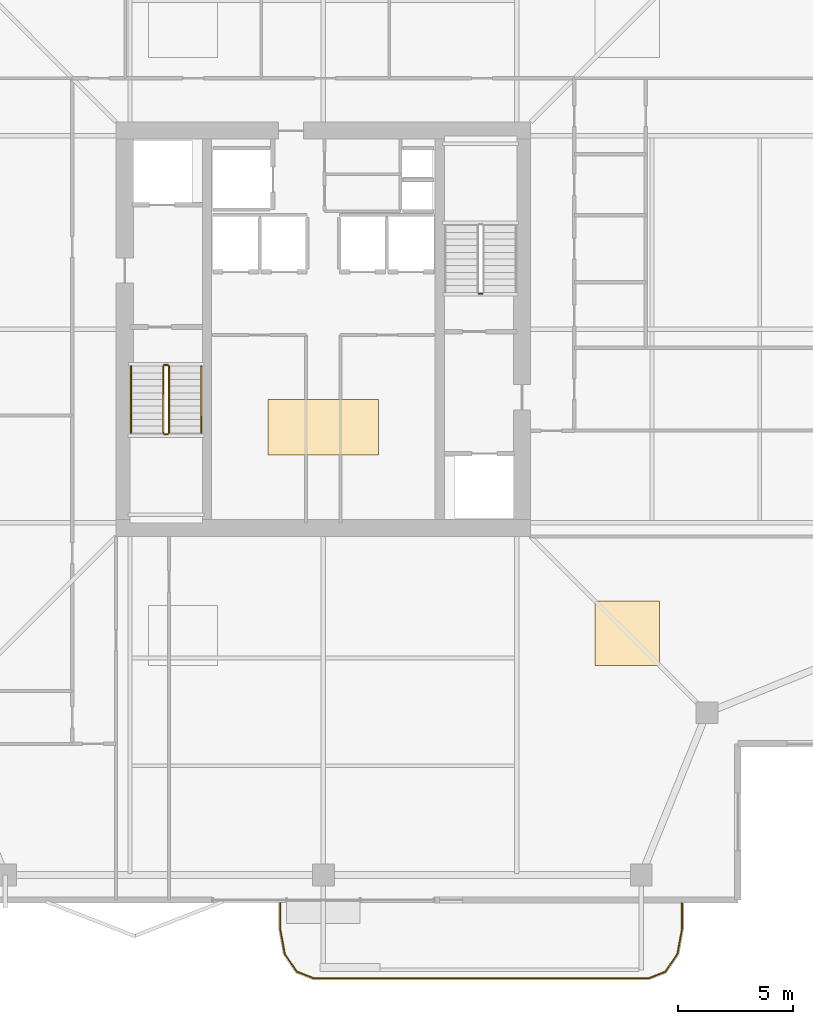
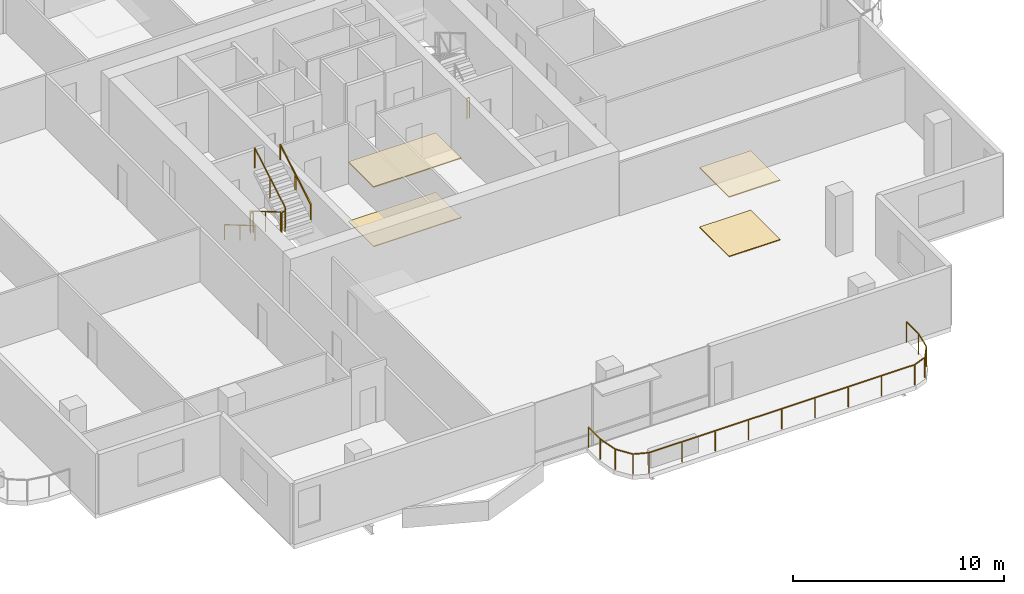
# One storey, part 23 of 25: 8 railings, 4 coverings.
"""IFC4 building model written with IfcOpenShell, lengths in metres."""

from ifc_helpers import new_model, si_unit, direction, frame, origin, origin_2d, place, context, subcontext, project, spatial, polyline, rectangle, outline, extrude, material, layer, layer_set, type_object, element, save


model = new_model("IFC4")

# Units and contexts
model_context = context("Model", 3, precision=1e-05, world=origin(), true_north=direction((0.0, 1.0)))
body_context = subcontext(model_context, "Body", "Model", "MODEL_VIEW")
ifc_project = project(units=[si_unit("LENGTHUNIT", "METRE"), si_unit("AREAUNIT", "SQUARE_METRE"), si_unit("VOLUMEUNIT", "CUBIC_METRE"), si_unit("PLANEANGLEUNIT", "RADIAN"), si_unit("MASSUNIT", "GRAM", prefix="KILO")], contexts=[model_context])

# Site, building, storey
site_placement = place(None, origin())
site = spatial("IfcSite", under=ifc_project, at=site_placement, CompositionType="ELEMENT")
building_placement = place(site_placement, origin())
building = spatial("IfcBuilding", under=site, at=building_placement, Name="Belovzor Exchange Tower", CompositionType="ELEMENT")
storey_placement = place(building_placement, frame((0.0, 0.0, 269.10009765625)))
storey = spatial("IfcBuildingStorey", under=building, at=storey_placement, Name="L67", CompositionType="ELEMENT", Elevation=269.10009765625)

# Railings
ifc_material_1 = material(Name="Stainless Steel Grade 304", Category="steel")
railing_type_1 = type_object("IfcRailingType", Name="Brushed Stainless Steel Stair Handrail 900", PredefinedType="HANDRAIL", material=ifc_material_1)
railing_1_placement = place(storey_placement, frame((20.449951171875, 27.199951171875, 0.17041015625)))
element("IfcRailing", 1, at=railing_1_placement, inside=storey, type_object=railing_type_1, Name="L67 ST-1 stair handrail 1", PredefinedType="HANDRAIL", context=body_context, shape_type="SweptSolid", body=[
    extrude(rectangle(XDim=0.048095703125, YDim=0.048095703125, at=origin_2d()), frame((0.0, 0.0, 0.8759765625), z_axis=(0.0, -0.86209462966, 0.506747323142), x_axis=(1.0, 0.0, 0.0)), (0.0, 0.0, 1.0), 3.36376953125),
    extrude(rectangle(XDim=0.0419921875, YDim=0.0419921875, at=origin_2d()), origin(), (0.0, 0.0, 1.0), 0.851806640625),
    extrude(rectangle(XDim=0.0419921875, YDim=0.0419921875, at=origin_2d()), frame((0.0, -1.449951171875, 0.852294921875)), (0.0, 0.0, 1.0), 0.851806640625),
    extrude(rectangle(XDim=0.0419921875, YDim=0.0419921875, at=origin_2d()), frame((0.0, -2.89990234375, 1.70458984375)), (0.0, 0.0, 1.0), 0.851806640625),
])
railing_2_placement = place(storey_placement, frame((23.5, 24.300048828125, 2.04541015625)))
element("IfcRailing", 2, at=railing_2_placement, inside=storey, type_object=railing_type_1, Name="L67 ST-1 stair handrail 2", PredefinedType="HANDRAIL", context=body_context, shape_type="SweptSolid", body=[
    extrude(rectangle(XDim=0.048095703125, YDim=0.048095703125, at=origin_2d()), frame((0.0, 0.0, 0.8759765625), z_axis=(0.0, 0.86209462966, 0.506747323142), x_axis=(-1.0, 0.0, 0.0)), (0.0, 0.0, 1.0), 3.36376953125),
    extrude(rectangle(XDim=0.0419921875, YDim=0.0419921875, at=origin_2d()), origin(), (0.0, 0.0, 1.0), 0.851806640625),
    extrude(rectangle(XDim=0.0419921875, YDim=0.0419921875, at=origin_2d()), frame((0.0, 1.449951171875, 0.852294921875)), (0.0, 0.0, 1.0), 0.851806640625),
    extrude(rectangle(XDim=0.0419921875, YDim=0.0419921875, at=origin_2d()), frame((0.0, 2.89990234375, 1.70458984375)), (0.0, 0.0, 1.0), 0.851806640625),
])
ifc_material_2 = material(Name="Stainless Steel and Laminated Safety Glass", Category="steel")
railing_type_2 = type_object("IfcRailingType", Name="Laminated Glass & Stainless Steel Balcony Balustrade 1200", PredefinedType="BALUSTRADE", material=ifc_material_2)
railing_3_placement = place(storey_placement, frame((26.929931640625, 3.889892578125, 0.0)))
element("IfcRailing", 3, at=railing_3_placement, inside=storey, type_object=railing_type_2, Name="GR-1 Balcony Balustrade L67 South", PredefinedType="BALUSTRADE", context=body_context, shape_type="SweptSolid", body=[
    extrude(rectangle(XDim=0.048095703125, YDim=0.048095703125, at=origin_2d()), frame((0.0, 0.0, 1.17578125), z_axis=(0.0, -1.0, 0.0), x_axis=(1.0, 0.0, 0.0)), (0.0, 0.0, 1.0), 1.1328125),
    extrude(rectangle(XDim=0.048095703125, YDim=0.048095703125, at=origin_2d()), frame((0.0, -1.1328125, 1.17578125), z_axis=(0.180083182347, -0.983651385113, 0.0), x_axis=(0.983651385113, 0.180083182347, 0.0)), (0.0, 0.0, 1.0), 1.093994140625),
    extrude(rectangle(XDim=0.048095703125, YDim=0.048095703125, at=origin_2d()), frame((0.197021484375, -2.208984375, 1.17578125), z_axis=(0.56294695933, -0.826493025367, 0.0), x_axis=(0.826493025367, 0.56294695933, 0.0)), (0.0, 0.0, 1.0), 0.932861328125),
    extrude(rectangle(XDim=0.048095703125, YDim=0.048095703125, at=origin_2d()), frame((0.72216796875, -2.97998046875, 1.17578125), z_axis=(0.930766990125, -0.365612923861, 0.0), x_axis=(0.365612923861, 0.930766990125, 0.0)), (0.0, 0.0, 1.0), 0.765869140625),
    extrude(rectangle(XDim=0.048095703125, YDim=0.048095703125, at=origin_2d()), frame((1.43505859375, -3.260009765625, 1.17578125), z_axis=(1.0, 0.0, 0.0), x_axis=(0.0, 1.0, 0.0)), (0.0, 0.0, 1.0), 14.570068359375),
    extrude(rectangle(XDim=0.048095703125, YDim=0.048095703125, at=origin_2d()), frame((16.005126953125, -3.260009765625, 1.17578125), z_axis=(0.930766990125, 0.365612923861, 0.0), x_axis=(-0.365612923861, 0.930766990125, 0.0)), (0.0, 0.0, 1.0), 0.765869140625),
    extrude(rectangle(XDim=0.048095703125, YDim=0.048095703125, at=origin_2d()), frame((16.718017578125, -2.97998046875, 1.17578125), z_axis=(0.56294695933, 0.826493025367, 0.0), x_axis=(-0.826493025367, 0.56294695933, 0.0)), (0.0, 0.0, 1.0), 0.932861328125),
    extrude(rectangle(XDim=0.048095703125, YDim=0.048095703125, at=origin_2d()), frame((17.2431640625, -2.208984375, 1.17578125), z_axis=(0.180083182347, 0.983651385113, 0.0), x_axis=(-0.983651385113, 0.180083182347, 0.0)), (0.0, 0.0, 1.0), 1.093994140625),
    extrude(rectangle(XDim=0.048095703125, YDim=0.048095703125, at=origin_2d()), frame((17.440185546875, -1.1328125, 1.17578125), z_axis=(0.0, 1.0, 0.0), x_axis=(-1.0, 0.0, 0.0)), (0.0, 0.0, 1.0), 1.1328125),
    extrude(rectangle(XDim=0.0419921875, YDim=0.0419921875, at=origin_2d()), origin(), (0.0, 0.0, 1.0), 1.15185546875),
    extrude(rectangle(XDim=0.0419921875, YDim=0.0419921875, at=origin_2d()), frame((0.0, -1.1328125, 0.0)), (0.0, 0.0, 1.0), 1.15185546875),
    extrude(rectangle(XDim=0.0419921875, YDim=0.0419921875, at=origin_2d()), frame((0.197021484375, -2.208984375, 0.0)), (0.0, 0.0, 1.0), 1.15185546875),
    extrude(rectangle(XDim=0.0419921875, YDim=0.0419921875, at=origin_2d()), frame((0.72216796875, -2.97998046875, 0.0)), (0.0, 0.0, 1.0), 1.15185546875),
    extrude(rectangle(XDim=0.0419921875, YDim=0.0419921875, at=origin_2d()), frame((1.43505859375, -3.260009765625, 0.0)), (0.0, 0.0, 1.0), 1.15185546875),
    extrude(rectangle(XDim=0.0419921875, YDim=0.0419921875, at=origin_2d()), frame((3.25634765625, -3.260009765625, 0.0)), (0.0, 0.0, 1.0), 1.15185546875),
    extrude(rectangle(XDim=0.0419921875, YDim=0.0419921875, at=origin_2d()), frame((5.07763671875, -3.260009765625, 0.0)), (0.0, 0.0, 1.0), 1.15185546875),
    extrude(rectangle(XDim=0.0419921875, YDim=0.0419921875, at=origin_2d()), frame((6.89892578125, -3.260009765625, 0.0)), (0.0, 0.0, 1.0), 1.15185546875),
    extrude(rectangle(XDim=0.0419921875, YDim=0.0419921875, at=origin_2d()), frame((8.72021484375, -3.260009765625, 0.0)), (0.0, 0.0, 1.0), 1.15185546875),
    extrude(rectangle(XDim=0.0419921875, YDim=0.0419921875, at=origin_2d()), frame((10.541259765625, -3.260009765625, 0.0)), (0.0, 0.0, 1.0), 1.15185546875),
    extrude(rectangle(XDim=0.0419921875, YDim=0.0419921875, at=origin_2d()), frame((12.362548828125, -3.260009765625, 0.0)), (0.0, 0.0, 1.0), 1.15185546875),
    extrude(rectangle(XDim=0.0419921875, YDim=0.0419921875, at=origin_2d()), frame((14.183837890625, -3.260009765625, 0.0)), (0.0, 0.0, 1.0), 1.15185546875),
    extrude(rectangle(XDim=0.0419921875, YDim=0.0419921875, at=origin_2d()), frame((16.005126953125, -3.260009765625, 0.0)), (0.0, 0.0, 1.0), 1.15185546875),
    extrude(rectangle(XDim=0.0419921875, YDim=0.0419921875, at=origin_2d()), frame((16.718017578125, -2.97998046875, 0.0)), (0.0, 0.0, 1.0), 1.15185546875),
    extrude(rectangle(XDim=0.0419921875, YDim=0.0419921875, at=origin_2d()), frame((17.2431640625, -2.208984375, 0.0)), (0.0, 0.0, 1.0), 1.15185546875),
    extrude(rectangle(XDim=0.0419921875, YDim=0.0419921875, at=origin_2d()), frame((17.440185546875, -1.1328125, 0.0)), (0.0, 0.0, 1.0), 1.15185546875),
    extrude(rectangle(XDim=0.0419921875, YDim=0.0419921875, at=origin_2d()), frame((17.440185546875, 0.0, 0.0)), (0.0, 0.0, 1.0), 1.15185546875),
])
ifc_material_3 = material(Name="Steel S355", Category="steel")
railing_type_3 = type_object("IfcRailingType", Name="Painted Steel Stairwell Guardrail 1200", PredefinedType="GUARDRAIL", material=ifc_material_3)
railing_4_placement = place(storey_placement, frame((21.85009765625, 27.199951171875, 0.17041015625)))
element("IfcRailing", 4, at=railing_4_placement, inside=storey, type_object=railing_type_3, Name="L67 ST-1 stair guard 1", PredefinedType="GUARDRAIL", context=body_context, shape_type="SweptSolid", body=[
    extrude(rectangle(XDim=0.048095703125, YDim=0.048095703125, at=origin_2d()), frame((0.0, 0.0, 1.17578125), z_axis=(0.0, -0.86209462966, 0.506747323142), x_axis=(1.0, 0.0, 0.0)), (0.0, 0.0, 1.0), 3.36376953125),
    extrude(rectangle(XDim=0.0419921875, YDim=0.0419921875, at=origin_2d()), origin(), (0.0, 0.0, 1.0), 1.15185546875),
    extrude(rectangle(XDim=0.0419921875, YDim=0.0419921875, at=origin_2d()), frame((0.0, -1.449951171875, 0.852294921875)), (0.0, 0.0, 1.0), 1.15185546875),
    extrude(rectangle(XDim=0.0419921875, YDim=0.0419921875, at=origin_2d()), frame((0.0, -2.89990234375, 1.70458984375)), (0.0, 0.0, 1.0), 1.15185546875),
])
railing_5_placement = place(storey_placement, frame((21.89990234375, 24.25, 1.875)))
element("IfcRailing", 5, at=railing_5_placement, inside=storey, type_object=railing_type_3, Name="L67 ST-1 stair guard 2", PredefinedType="GUARDRAIL", context=body_context, shape_type="SweptSolid", body=[
    extrude(rectangle(XDim=0.048095703125, YDim=0.048095703125, at=origin_2d()), frame((0.0, 0.0, 1.17578125), z_axis=(1.0, 0.0, 0.0), x_axis=(0.0, 1.0, 0.0)), (0.0, 0.0, 1.0), 0.150146484375),
    extrude(rectangle(XDim=0.0419921875, YDim=0.0419921875, at=origin_2d()), origin(), (0.0, 0.0, 1.0), 1.15185546875),
    extrude(rectangle(XDim=0.0419921875, YDim=0.0419921875, at=origin_2d()), frame((0.150146484375, 0.0, 0.0)), (0.0, 0.0, 1.0), 1.15185546875),
])
railing_6_placement = place(storey_placement, frame((22.10009765625, 24.300048828125, 2.04541015625)))
element("IfcRailing", 6, at=railing_6_placement, inside=storey, type_object=railing_type_3, Name="L67 ST-1 stair guard 3", PredefinedType="GUARDRAIL", context=body_context, shape_type="SweptSolid", body=[
    extrude(rectangle(XDim=0.048095703125, YDim=0.048095703125, at=origin_2d()), frame((0.0, 0.0, 1.17578125), z_axis=(0.0, 0.86209462966, 0.506747323142), x_axis=(-1.0, 0.0, 0.0)), (0.0, 0.0, 1.0), 3.36376953125),
    extrude(rectangle(XDim=0.0419921875, YDim=0.0419921875, at=origin_2d()), origin(), (0.0, 0.0, 1.0), 1.15185546875),
    extrude(rectangle(XDim=0.0419921875, YDim=0.0419921875, at=origin_2d()), frame((0.0, 1.449951171875, 0.852294921875)), (0.0, 0.0, 1.0), 1.15185546875),
    extrude(rectangle(XDim=0.0419921875, YDim=0.0419921875, at=origin_2d()), frame((0.0, 2.89990234375, 1.70458984375)), (0.0, 0.0, 1.0), 1.15185546875),
])
railing_7_placement = place(storey_placement, frame((21.89990234375, 27.25, 0.0)))
element("IfcRailing", 7, at=railing_7_placement, inside=storey, type_object=railing_type_3, Name="L67 ST-1 stair guard 4", PredefinedType="GUARDRAIL", context=body_context, shape_type="SweptSolid", body=[
    extrude(rectangle(XDim=0.048095703125, YDim=0.048095703125, at=origin_2d()), frame((0.0, 0.0, 1.17578125), z_axis=(1.0, 0.0, 0.0), x_axis=(0.0, 1.0, 0.0)), (0.0, 0.0, 1.0), 0.150146484375),
    extrude(rectangle(XDim=0.0419921875, YDim=0.0419921875, at=origin_2d()), origin(), (0.0, 0.0, 1.0), 1.15185546875),
    extrude(rectangle(XDim=0.0419921875, YDim=0.0419921875, at=origin_2d()), frame((0.150146484375, 0.0, 0.0)), (0.0, 0.0, 1.0), 1.15185546875),
])
railing_8_placement = place(storey_placement, frame((35.699951171875, 30.35009765625, 0.0)))
element("IfcRailing", 8, at=railing_8_placement, inside=storey, type_object=railing_type_3, Name="L67 ST-2 stair guard 4", PredefinedType="GUARDRAIL", context=body_context, shape_type="SweptSolid", body=[
    extrude(rectangle(XDim=0.048095703125, YDim=0.048095703125, at=origin_2d()), frame((0.0, 0.0, 1.17578125), z_axis=(-1.0, 0.0, 0.0), x_axis=(0.0, -1.0, 0.0)), (0.0, 0.0, 1.0), 0.14990234375),
    extrude(rectangle(XDim=0.0419921875, YDim=0.0419921875, at=origin_2d()), origin(), (0.0, 0.0, 1.0), 1.15185546875),
    extrude(rectangle(XDim=0.0419921875, YDim=0.0419921875, at=origin_2d()), frame((-0.14990234375, 0.0, 0.0)), (0.0, 0.0, 1.0), 1.15185546875),
])

# Coverings
ifc_material_4 = material(Name="Perforated Powder-Coated Aluminium", Category="aluminium")
ifc_layer_1 = layer(ifc_material_4, 0.06005859375)
ifc_layer_set_1 = layer_set([ifc_layer_1], Name="Perforated Powder-Coated Aluminium")
covering_type_1 = type_object("IfcCoveringType", Name="Perforated Acoustic Metal Tile Suspended Ceiling 60", PredefinedType="CEILING", material=ifc_layer_set_1)
covering_1_placement = place(storey_placement, frame((0.0, 0.0, 3.43994140625)))
element("IfcCovering", 9, at=covering_1_placement, inside=storey, type_object=covering_type_1, Name="CLG-AC60 Suspended Ceiling CLG-L67-LOB", PredefinedType="CEILING", context=body_context, shape_type="SweptSolid", body=[
    extrude(outline(polyline([(26.39990234375, 23.35009765625), (31.199951171875, 23.35009765625), (31.199951171875, 25.75), (26.39990234375, 25.75), (26.39990234375, 23.35009765625)])), origin(), (0.0, 0.0, 1.0), 0.06005859375),
])
covering_2_placement = place(storey_placement, frame((0.0, 0.0, 3.43994140625)))
element("IfcCovering", 10, at=covering_2_placement, inside=storey, type_object=covering_type_1, Name="CLG-AC60 Suspended Ceiling CLG-L67-Z1", PredefinedType="CEILING", context=body_context, shape_type="SweptSolid", body=[
    extrude(outline(polyline([(40.60009765625, 14.199951171875), (43.39990234375, 14.199951171875), (43.39990234375, 17.0), (40.60009765625, 17.0), (40.60009765625, 14.199951171875)])), origin(), (0.0, 0.0, 1.0), 0.06005859375),
])
ifc_material_5 = material(Name="Polished Natural Granite Tile", Category="masonry")
ifc_layer_2 = layer(ifc_material_5, 0.050048828125)
ifc_layer_set_2 = layer_set([ifc_layer_2], Name="Polished Natural Granite Tile")
covering_type_2 = type_object("IfcCoveringType", Name="Polished Karelian Granite & Raised Access Floor Finish 50", PredefinedType="FLOORING", material=ifc_layer_set_2)
covering_3_placement = place(storey_placement, origin())
element("IfcCovering", 11, at=covering_3_placement, inside=storey, type_object=covering_type_2, Name="FLR-GR50 Floor Finish FLR-L67-LOB", PredefinedType="FLOORING", context=body_context, shape_type="SweptSolid", body=[
    extrude(outline(polyline([(26.39990234375, 23.35009765625), (31.199951171875, 23.35009765625), (31.199951171875, 25.75), (26.39990234375, 25.75), (26.39990234375, 23.35009765625)])), origin(), (0.0, 0.0, 1.0), 0.0498046875),
])
covering_4_placement = place(storey_placement, origin())
element("IfcCovering", 12, at=covering_4_placement, inside=storey, type_object=covering_type_2, Name="FLR-GR50 Floor Finish FLR-L67-Z1", PredefinedType="FLOORING", context=body_context, shape_type="SweptSolid", body=[
    extrude(outline(polyline([(40.60009765625, 14.199951171875), (43.39990234375, 14.199951171875), (43.39990234375, 17.0), (40.60009765625, 17.0), (40.60009765625, 14.199951171875)])), origin(), (0.0, 0.0, 1.0), 0.0498046875),
])

save(model, "model.ifc")
